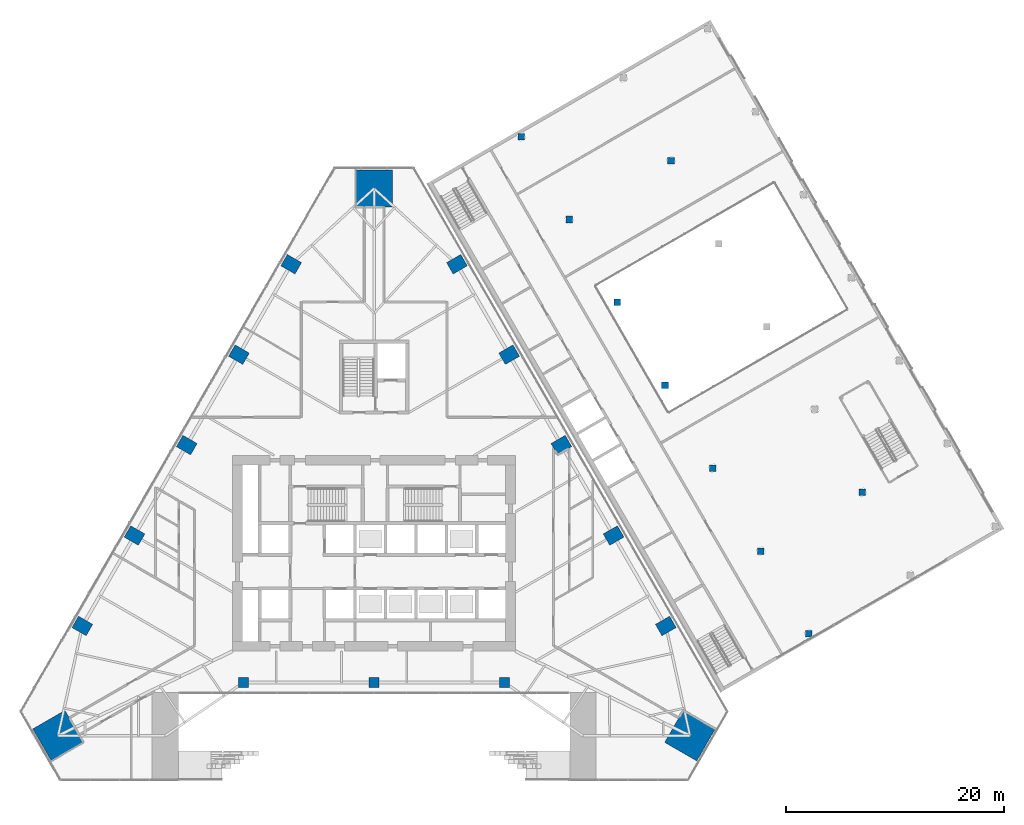
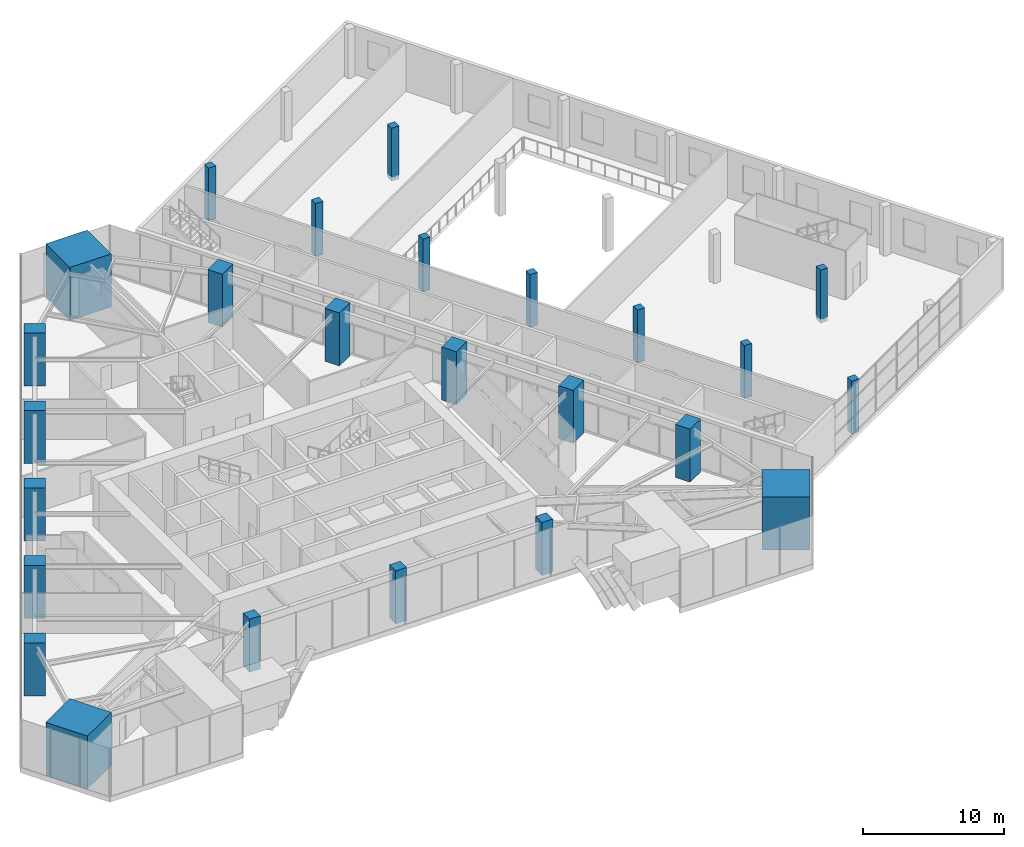
# One storey, part 1 of 30: 25 columns.
"""IFC4 building model written with IfcOpenShell, lengths in metres."""

from ifc_helpers import new_model, si_unit, direction, frame, origin, origin_2d, place, context, subcontext, project, spatial, rectangle, extrude, material, material_profile, profile_set, type_object, element, save


model = new_model("IFC4")

# Units and contexts
model_context = context("Model", 3, precision=1e-05, world=origin(), true_north=direction((0.0, 1.0)))
body_context = subcontext(model_context, "Body", "Model", "MODEL_VIEW")
ifc_project = project(units=[si_unit("LENGTHUNIT", "METRE"), si_unit("AREAUNIT", "SQUARE_METRE"), si_unit("VOLUMEUNIT", "CUBIC_METRE"), si_unit("PLANEANGLEUNIT", "RADIAN"), si_unit("MASSUNIT", "GRAM", prefix="KILO")], contexts=[model_context])

# Site, building, storey
site_placement = place(None, origin())
site = spatial("IfcSite", under=ifc_project, at=site_placement, CompositionType="ELEMENT")
building_placement = place(site_placement, origin())
building = spatial("IfcBuilding", under=site, at=building_placement, Name="Firuza Gate Tower and Library", CompositionType="ELEMENT")
storey_placement = place(building_placement, frame((0.0, 0.0, 12.60009765625)))
storey = spatial("IfcBuildingStorey", under=building, at=storey_placement, Name="L02", CompositionType="ELEMENT", Elevation=12.60009765625)

# Columns
ifc_material_1 = material(Name="Concrete C60/75", Category="concrete")
ifc_material_profile_1 = material_profile(ifc_material_1, rectangle(XDim=0.89990234375, YDim=0.89990234375, at=origin_2d()))
ifc_profile_set_1 = profile_set([ifc_material_profile_1], Name="Concrete C60/75")
column_type_1 = type_object("IfcColumnType", Name="Basement column 900x900 C60/75", PredefinedType="COLUMN", material=ifc_profile_set_1)
for number, where, z_axis, x_axis, name in (
    (1, (63.0, 63.115478515625, 0.0), (0.0, 0.0, 1.0), (1.0, 0.0, 0.0), "Column L02 bc1"),
    (2, (75.0, 63.115478515625, 0.0), (0.0, 0.0, 1.0), (1.0, 0.0, 0.0), "Column L02 bc2"),
    (3, (87.0, 63.115478515625, 0.0), (0.0, 0.0, 1.0), (1.0, 0.0, 0.0), "Column L02 bc3"),
):
    element("IfcColumn", number, at=place(storey_placement, frame(where, z_axis=z_axis, x_axis=x_axis)), inside=storey, type_object=column_type_1, Name=name, PredefinedType="COLUMN", context=body_context, shape_type="SweptSolid", body=[
        extrude(rectangle(XDim=0.89990234375, YDim=0.89990234375, at=origin_2d()), origin(), (0.0, 0.0, 1.0), 4.599853515625),
    ])
ifc_material_2 = material(Name="Concrete C40/50", Category="concrete")
ifc_material_profile_2 = material_profile(ifc_material_2, rectangle(XDim=0.60009765625, YDim=0.60009765625, at=origin_2d()))
ifc_profile_set_2 = profile_set([ifc_material_profile_2], Name="Concrete C40/50")
column_type_2 = type_object("IfcColumnType", Name="LIB COLUMN 600", PredefinedType="COLUMN", material=ifc_profile_set_2)
for number, where, z_axis, x_axis, name in (
    (4, (114.947021484375, 67.5791015625, -0.360107421875), (0.0, 0.0, 1.0), (1.0, 0.0, 0.0), "Library column 1A"),
    (5, (110.546875, 75.2001953125, -0.360107421875), (0.0, 0.0, 1.0), (1.0, 0.0, 0.0), "Library column 2A"),
    (6, (119.89990234375, 80.600341796875, -0.360107421875), (0.0, 0.0, 1.0), (1.0, 0.0, 0.0), "Library column 2B"),
    (7, (106.14697265625, 82.8212890625, -0.360107421875), (0.0, 0.0, 1.0), (1.0, 0.0, 0.0), "Library column 3A"),
    (8, (101.746826171875, 90.4423828125, -0.360107421875), (0.0, 0.0, 1.0), (1.0, 0.0, 0.0), "Library column 4A"),
    (9, (97.346923828125, 98.063232421875, -0.360107421875), (0.0, 0.0, 1.0), (1.0, 0.0, 0.0), "Library column 5A"),
    (10, (92.947021484375, 105.684326171875, -0.360107421875), (0.0, 0.0, 1.0), (1.0, 0.0, 0.0), "Library column 6A"),
    (11, (102.2998046875, 111.08447265625, -0.360107421875), (0.0, 0.0, 1.0), (1.0, 0.0, 0.0), "Library column 6B"),
    (12, (88.546875, 113.305419921875, -0.360107421875), (0.0, 0.0, 1.0), (1.0, 0.0, 0.0), "Library column 7A"),
):
    element("IfcColumn", number, at=place(storey_placement, frame(where, z_axis=z_axis, x_axis=x_axis)), inside=storey, type_object=column_type_2, Name=name, PredefinedType="COLUMN", context=body_context, shape_type="SweptSolid", body=[
        extrude(rectangle(XDim=0.60009765625, YDim=0.60009765625, at=origin_2d()), origin(), (0.0, 0.0, 1.0), 4.60009765625),
    ])
ifc_material_3 = material(Name="Concrete C80/95", Category="concrete")
ifc_material_profile_3 = material_profile(ifc_material_3, rectangle(XDim=3.39990234375, YDim=3.39990234375, at=origin_2d()))
ifc_profile_set_3 = profile_set([ifc_material_profile_3], Name="Concrete C80/95")
column_type_3 = type_object("IfcColumnType", Name="Mega column 3400x3400 C80/95", PredefinedType="COLUMN", material=ifc_profile_set_3)
for number, where, z_axis, x_axis, name in (
    (13, (104.041259765625, 58.233154296875, 0.0), (0.0, 0.0, 1.0), (0.5, 0.866025403784, 0.0), "Mega column SE L02"),
    (14, (75.0, 108.533935546875, 0.0), (0.0, 0.0, 1.0), (-1.0, 0.0, 0.0), "Mega column N L02"),
    (15, (45.958740234375, 58.233154296875, 0.0), (0.0, 0.0, 1.0), (0.5, -0.866025403784, 0.0), "Mega column SW L02"),
):
    element("IfcColumn", number, at=place(storey_placement, frame(where, z_axis=z_axis, x_axis=x_axis)), inside=storey, type_object=column_type_3, Name=name, PredefinedType="COLUMN", context=body_context, shape_type="SweptSolid", body=[
        extrude(rectangle(XDim=3.39990234375, YDim=3.39990234375, at=origin_2d()), origin(), (0.0, 0.0, 1.0), 4.599853515625),
    ])
ifc_material_4 = material(Name="Concrete C60/75", Category="concrete")
ifc_material_profile_4 = material_profile(ifc_material_4, rectangle(XDim=1.199951171875, YDim=1.5, at=origin_2d()))
ifc_profile_set_4 = profile_set([ifc_material_profile_4], Name="Concrete C60/75")
column_type_4 = type_object("IfcColumnType", Name="Perimeter column 1200x1500 C60/75", PredefinedType="COLUMN", material=ifc_profile_set_4)
for number, where, z_axis, x_axis, name in (
    (16, (101.820556640625, 68.314697265625, -0.00048828125), (0.0, 0.0, 1.0), (-0.5, 0.866025403784, 0.0), "Column E1 L02"),
    (17, (97.0205078125, 76.62841796875, -0.00048828125), (0.0, 0.0, 1.0), (-0.5, 0.866025403784, 0.0), "Column E2 L02"),
    (18, (92.220458984375, 84.9423828125, -0.00048828125), (0.0, 0.0, 1.0), (-0.5, 0.866025403784, 0.0), "Column E3 L02"),
    (19, (87.420654296875, 93.256103515625, -0.00048828125), (0.0, 0.0, 1.0), (-0.5, 0.866025403784, 0.0), "Column E4 L02"),
    (20, (82.62060546875, 101.570068359375, -0.00048828125), (0.0, 0.0, 1.0), (-0.5, 0.866025403784, 0.0), "Column E5 L02"),
    (21, (67.37939453125, 101.570068359375, -0.00048828125), (0.0, 0.0, 1.0), (-0.5, -0.866025403784, 0.0), "Column W1 L02"),
    (22, (62.579345703125, 93.256103515625, -0.00048828125), (0.0, 0.0, 1.0), (-0.5, -0.866025403784, 0.0), "Column W2 L02"),
    (23, (57.779541015625, 84.9423828125, -0.00048828125), (0.0, 0.0, 1.0), (-0.5, -0.866025403784, 0.0), "Column W3 L02"),
    (24, (52.9794921875, 76.62841796875, -0.00048828125), (0.0, 0.0, 1.0), (-0.5, -0.866025403784, 0.0), "Column W4 L02"),
    (25, (48.179443359375, 68.314697265625, -0.00048828125), (0.0, 0.0, 1.0), (-0.5, -0.866025403784, 0.0), "Column W5 L02"),
):
    element("IfcColumn", number, at=place(storey_placement, frame(where, z_axis=z_axis, x_axis=x_axis)), inside=storey, type_object=column_type_4, Name=name, PredefinedType="COLUMN", context=body_context, shape_type="SweptSolid", body=[
        extrude(rectangle(XDim=1.199951171875, YDim=1.5, at=origin_2d()), origin(), (0.0, 0.0, 1.0), 4.600341796875),
    ])

save(model, "model.ifc")
